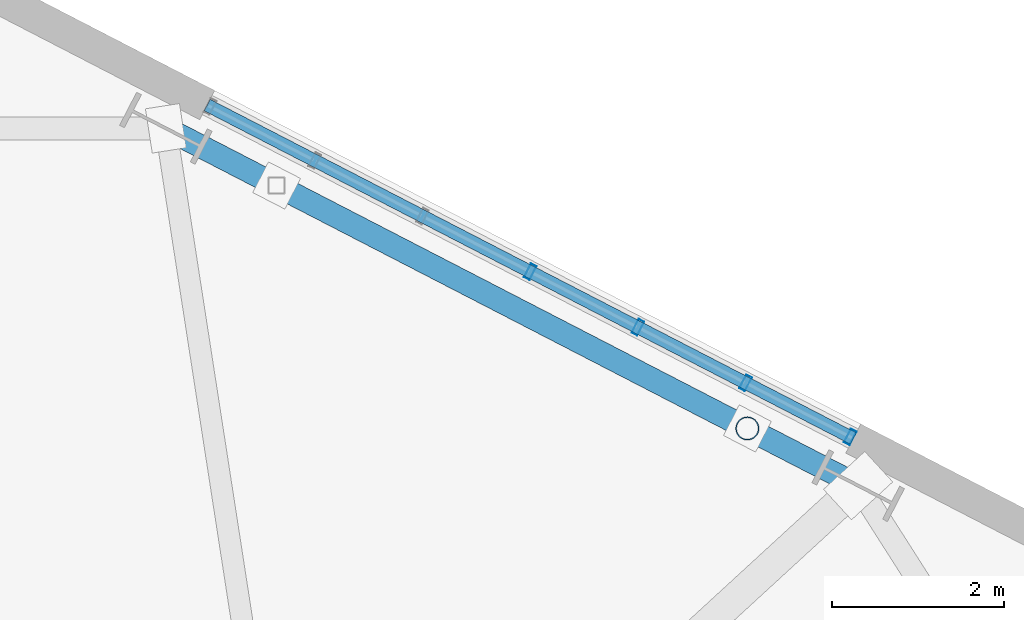
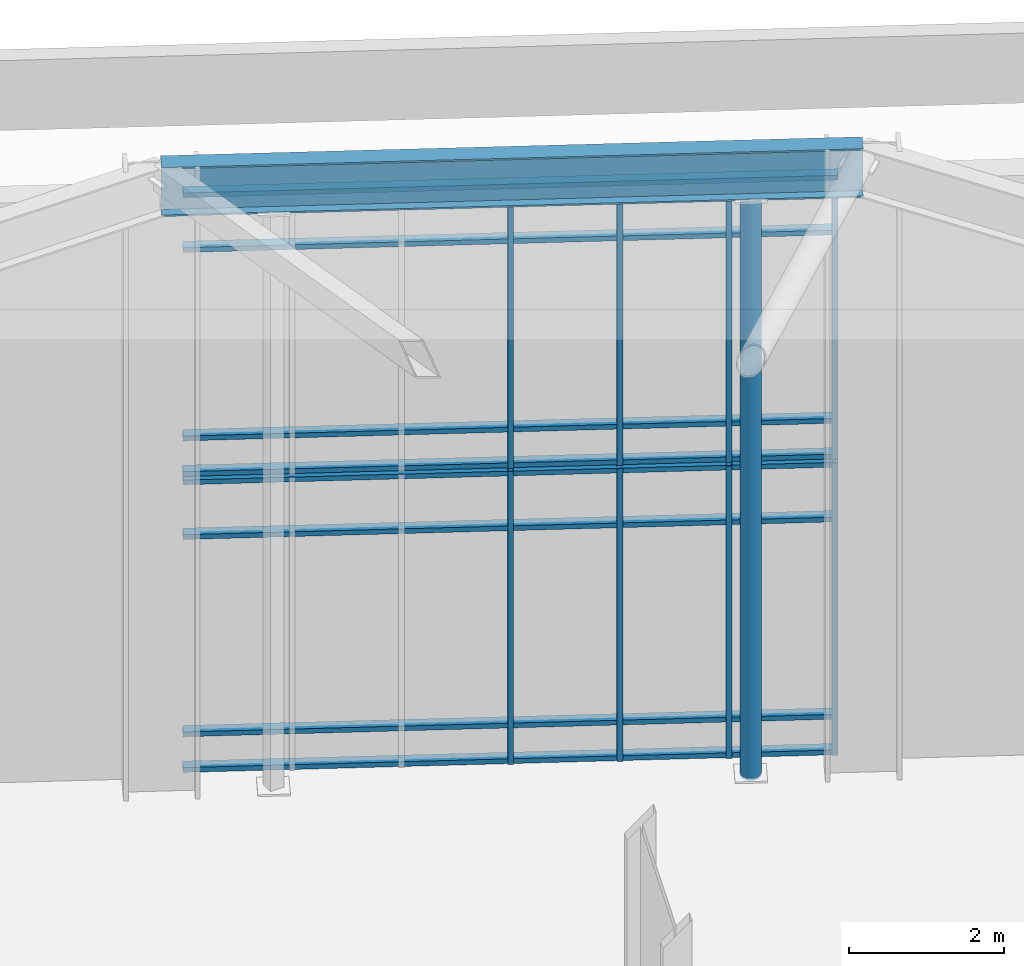
# One storey, part 14 of 23: 17 members, 1 beam, 2 elements without a shape of their own.
"""IFC4 building model written with IfcOpenShell, lengths in metres."""

from ifc_helpers import new_model, si_unit, direction, frame, origin, origin_2d, place, context, subcontext, project, spatial, hollow_rectangle, hollow_circle, i_section, extrude, material, layer, layer_set, material_profile, profile_set, type_object, element, aggregate, save


model = new_model("IFC4")

# Units and contexts
model_context = context("Model", 3, precision=1e-05, world=origin(), true_north=direction((0.0, 1.0)))
body_context = subcontext(model_context, "Body", "Model", "MODEL_VIEW")
ifc_project = project(units=[si_unit("LENGTHUNIT", "METRE"), si_unit("AREAUNIT", "SQUARE_METRE"), si_unit("VOLUMEUNIT", "CUBIC_METRE"), si_unit("PLANEANGLEUNIT", "RADIAN"), si_unit("MASSUNIT", "GRAM", prefix="KILO"), si_unit("THERMODYNAMICTEMPERATUREUNIT", "KELVIN"), si_unit("POWERUNIT", "WATT")], contexts=[model_context])

# Site, building, storey
site_placement = place(None, origin())
site = spatial("IfcSite", under=ifc_project, at=site_placement, CompositionType="ELEMENT")
building_placement = place(site_placement, origin())
building = spatial("IfcBuilding", under=site, at=building_placement, Name="Skarre Station Tower", CompositionType="ELEMENT")
storey_placement = place(building_placement, frame((0.0, 0.0, 291.300048828125)))
storey = spatial("IfcBuildingStorey", under=building, at=storey_placement, Name="RF", CompositionType="ELEMENT", Elevation=291.300048828125)

# Curtain wall, members
ifc_material_1 = material(Name="Thermally Broken Bronze-Anodized Aluminium & Triple Low-E Glass", Category="aluminium")
ifc_layer = layer(ifc_material_1, 0.179931640625, Name="Thermally Broken Bronze-Anodized Aluminium & Triple Low-E Glass")
ifc_layer_set = layer_set([ifc_layer], Name="Thermally Broken Bronze-Anodized Aluminium & Triple Low-E Glass")
curtain_wall_type = type_object("IfcCurtainWallType", Name="Nordic Bronze Crown Lantern Stick Curtain Wall", PredefinedType="NOTDEFINED", material=ifc_layer_set)
curtain_wall_1_placement = place(storey_placement, origin())
curtain_wall_1 = element("IfcCurtainWall", 1, at=curtain_wall_1_placement, inside=storey, type_object=curtain_wall_type, Name="RF Crown Lantern Lower Facet 0 Curtain Wall", PredefinedType="NOTDEFINED")
ifc_material_2 = material(Name="Anodized Aluminium 6063-T6", Category="aluminium")
ifc_material_profile_1 = material_profile(ifc_material_2, hollow_rectangle(XDim=0.074951171875, YDim=0.14990234375, WallThickness=0.00390625, at=origin_2d()), Name="Anodized Aluminium 6063-T6")
ifc_profile_set_1 = profile_set([ifc_material_profile_1], Name="Anodized Aluminium 6063-T6")
member_type_1 = type_object("IfcMemberType", Name="Curtain-Wall Secondary Transom 150x75", PredefinedType="USERDEFINED", material=ifc_profile_set_1)
member_1_placement = place(storey_placement, frame((38.367919921875, 39.717041015625, 0.0400390625), z_axis=(0.888646505754, -0.458592834453, 0.0), x_axis=(0.0, 0.0, 1.0)))
member_1 = element("IfcMember", 2, at=member_1_placement, type_object=member_type_1, Name="RF Crown Lantern Lower Facet 0 Curtain Wall Transom 1", ObjectType="TRANSOM", PredefinedType="USERDEFINED", context=body_context, shape_type="SweptSolid", body=[
    extrude(hollow_rectangle(XDim=0.074951171875, YDim=0.14990234375, WallThickness=0.00390625, at=origin_2d()), origin(), (0.0, 0.0, 1.0), 8.443359375),
])
member_2_placement = place(storey_placement, frame((38.367919921875, 39.717041015625, 0.599853515625), z_axis=(0.888646505754, -0.458592834453, 0.0), x_axis=(0.0, 0.0, 1.0)))
member_2 = element("IfcMember", 3, at=member_2_placement, type_object=member_type_1, Name="RF Crown Lantern Lower Facet 0 Curtain Wall Transom 2", ObjectType="TRANSOM", PredefinedType="USERDEFINED", context=body_context, shape_type="SweptSolid", body=[
    extrude(hollow_rectangle(XDim=0.074951171875, YDim=0.14990234375, WallThickness=0.00390625, at=origin_2d()), origin(), (0.0, 0.0, 1.0), 8.443359375),
])
member_3_placement = place(storey_placement, frame((38.367919921875, 39.717041015625, 3.699951171875), z_axis=(0.888646505754, -0.458592834453, 0.0), x_axis=(0.0, 0.0, 1.0)))
member_3 = element("IfcMember", 4, at=member_3_placement, type_object=member_type_1, Name="RF Crown Lantern Lower Facet 0 Curtain Wall Transom 3", ObjectType="TRANSOM", PredefinedType="USERDEFINED", context=body_context, shape_type="SweptSolid", body=[
    extrude(hollow_rectangle(XDim=0.074951171875, YDim=0.14990234375, WallThickness=0.00390625, at=origin_2d()), origin(), (0.0, 0.0, 1.0), 8.443359375),
])
member_4_placement = place(storey_placement, frame((38.367919921875, 39.717041015625, 4.56005859375), z_axis=(0.888646505754, -0.458592834453, 0.0), x_axis=(0.0, 0.0, 1.0)))
member_4 = element("IfcMember", 5, at=member_4_placement, type_object=member_type_1, Name="RF Crown Lantern Lower Facet 0 Curtain Wall Transom 4", ObjectType="TRANSOM", PredefinedType="USERDEFINED", context=body_context, shape_type="SweptSolid", body=[
    extrude(hollow_rectangle(XDim=0.074951171875, YDim=0.14990234375, WallThickness=0.00390625, at=origin_2d()), origin(), (0.0, 0.0, 1.0), 8.443359375),
])

curtain_wall_2_placement = place(storey_placement, origin())
curtain_wall_2 = element("IfcCurtainWall", 6, at=curtain_wall_2_placement, inside=storey, type_object=curtain_wall_type, Name="RF Crown Lantern Upper Facet 0 Curtain Wall", PredefinedType="NOTDEFINED")
member_5_placement = place(storey_placement, frame((38.367919921875, 39.717041015625, 4.68994140625), z_axis=(0.888646505754, -0.458592834453, 0.0), x_axis=(0.0, 0.0, 1.0)))
member_5 = element("IfcMember", 7, at=member_5_placement, type_object=member_type_1, Name="RF Crown Lantern Upper Facet 0 Curtain Wall Transom 1", ObjectType="TRANSOM", PredefinedType="USERDEFINED", context=body_context, shape_type="SweptSolid", body=[
    extrude(hollow_rectangle(XDim=0.074951171875, YDim=0.14990234375, WallThickness=0.00390625, at=origin_2d()), origin(), (0.0, 0.0, 1.0), 8.443359375),
])
member_6_placement = place(storey_placement, frame((38.367919921875, 39.717041015625, 5.25), z_axis=(0.888646505754, -0.458592834453, 0.0), x_axis=(0.0, 0.0, 1.0)))
member_6 = element("IfcMember", 8, at=member_6_placement, type_object=member_type_1, Name="RF Crown Lantern Upper Facet 0 Curtain Wall Transom 2", ObjectType="TRANSOM", PredefinedType="USERDEFINED", context=body_context, shape_type="SweptSolid", body=[
    extrude(hollow_rectangle(XDim=0.074951171875, YDim=0.14990234375, WallThickness=0.00390625, at=origin_2d()), origin(), (0.0, 0.0, 1.0), 8.443359375),
])
member_7_placement = place(storey_placement, frame((38.367919921875, 39.717041015625, 8.2099609375), z_axis=(0.888646505754, -0.458592834453, 0.0), x_axis=(0.0, 0.0, 1.0)))
member_7 = element("IfcMember", 9, at=member_7_placement, type_object=member_type_1, Name="RF Crown Lantern Upper Facet 0 Curtain Wall Transom 3", ObjectType="TRANSOM", PredefinedType="USERDEFINED", context=body_context, shape_type="SweptSolid", body=[
    extrude(hollow_rectangle(XDim=0.074951171875, YDim=0.14990234375, WallThickness=0.00390625, at=origin_2d()), origin(), (0.0, 0.0, 1.0), 8.443359375),
])
member_8_placement = place(storey_placement, frame((38.367919921875, 39.717041015625, 9.070068359375), z_axis=(0.888646505754, -0.458592834453, 0.0), x_axis=(0.0, 0.0, 1.0)))
member_8 = element("IfcMember", 10, at=member_8_placement, type_object=member_type_1, Name="RF Crown Lantern Upper Facet 0 Curtain Wall Transom 4", ObjectType="TRANSOM", PredefinedType="USERDEFINED", context=body_context, shape_type="SweptSolid", body=[
    extrude(hollow_rectangle(XDim=0.074951171875, YDim=0.14990234375, WallThickness=0.00390625, at=origin_2d()), origin(), (0.0, 0.0, 1.0), 8.443359375),
])

# Member
ifc_material_profile_2 = material_profile(ifc_material_2, hollow_rectangle(XDim=0.074951171875, YDim=0.179931640625, WallThickness=0.00390625, at=origin_2d()), Name="Anodized Aluminium 6063-T6")
ifc_profile_set_2 = profile_set([ifc_material_profile_2], Name="Anodized Aluminium 6063-T6")
member_type_2 = type_object("IfcMemberType", Name="Curtain-Wall Unitised Tower Mullion 180x75", PredefinedType="MULLION", material=ifc_profile_set_2)
member_9_placement = place(storey_placement, frame((42.1201171875, 37.781005859375, 0.0), z_axis=(0.0, 0.0, 1.0), x_axis=(0.888649250269, -0.458587516181, 0.0)))
member_9 = element("IfcMember", 11, at=member_9_placement, type_object=member_type_2, Name="RF Crown Lantern Lower Facet 0 Curtain Wall Mullion 4", PredefinedType="MULLION", context=body_context, shape_type="SweptSolid", body=[
    extrude(hollow_rectangle(XDim=0.074951171875, YDim=0.179931640625, WallThickness=0.00390625, at=origin_2d()), origin(), (0.0, 0.0, 1.0), 4.599853515625),
])

member_10_placement = place(storey_placement, frame((43.3701171875, 37.135986328125, 0.0), z_axis=(0.0, 0.0, 1.0), x_axis=(0.888649250269, -0.458587516181, 0.0)))
member_10 = element("IfcMember", 12, at=member_10_placement, type_object=member_type_2, Name="RF Crown Lantern Lower Facet 0 Curtain Wall Mullion 5", PredefinedType="MULLION", context=body_context, shape_type="SweptSolid", body=[
    extrude(hollow_rectangle(XDim=0.074951171875, YDim=0.179931640625, WallThickness=0.00390625, at=origin_2d()), origin(), (0.0, 0.0, 1.0), 4.599853515625),
])

member_11_placement = place(storey_placement, frame((44.6201171875, 36.489990234375, 0.0), z_axis=(0.0, 0.0, 1.0), x_axis=(0.888649250269, -0.458587516181, 0.0)))
member_11 = element("IfcMember", 13, at=member_11_placement, type_object=member_type_2, Name="RF Crown Lantern Lower Facet 0 Curtain Wall Mullion 6", PredefinedType="MULLION", context=body_context, shape_type="SweptSolid", body=[
    extrude(hollow_rectangle(XDim=0.074951171875, YDim=0.179931640625, WallThickness=0.00390625, at=origin_2d()), origin(), (0.0, 0.0, 1.0), 4.599853515625),
])

member_12_placement = place(storey_placement, frame((45.8349609375, 35.863037109375, 0.0), z_axis=(0.0, 0.0, 1.0), x_axis=(0.888649250269, -0.458587516181, 0.0)))
member_12 = element("IfcMember", 14, at=member_12_placement, type_object=member_type_2, Name="RF Crown Lantern Lower Facet 0 Curtain Wall Mullion 7", PredefinedType="MULLION", context=body_context, shape_type="SweptSolid", body=[
    extrude(hollow_rectangle(XDim=0.074951171875, YDim=0.179931640625, WallThickness=0.00390625, at=origin_2d()), origin(), (0.0, 0.0, 1.0), 4.599853515625),
])

aggregate(curtain_wall_1, [member_9, member_10, member_11, member_12, member_1, member_2, member_3, member_4])

member_13_placement = place(storey_placement, frame((42.1201171875, 37.781005859375, 4.64990234375), z_axis=(0.0, 0.0, 1.0), x_axis=(0.888649250269, -0.458587516181, 0.0)))
member_13 = element("IfcMember", 15, at=member_13_placement, type_object=member_type_2, Name="RF Crown Lantern Upper Facet 0 Curtain Wall Mullion 4", PredefinedType="MULLION", context=body_context, shape_type="SweptSolid", body=[
    extrude(hollow_rectangle(XDim=0.074951171875, YDim=0.179931640625, WallThickness=0.00390625, at=origin_2d()), origin(), (0.0, 0.0, 1.0), 4.4599609375),
])

member_14_placement = place(storey_placement, frame((43.3701171875, 37.135986328125, 4.64990234375), z_axis=(0.0, 0.0, 1.0), x_axis=(0.888649250269, -0.458587516181, 0.0)))
member_14 = element("IfcMember", 16, at=member_14_placement, type_object=member_type_2, Name="RF Crown Lantern Upper Facet 0 Curtain Wall Mullion 5", PredefinedType="MULLION", context=body_context, shape_type="SweptSolid", body=[
    extrude(hollow_rectangle(XDim=0.074951171875, YDim=0.179931640625, WallThickness=0.00390625, at=origin_2d()), origin(), (0.0, 0.0, 1.0), 4.4599609375),
])

member_15_placement = place(storey_placement, frame((44.6201171875, 36.489990234375, 4.64990234375), z_axis=(0.0, 0.0, 1.0), x_axis=(0.888649250269, -0.458587516181, 0.0)))
member_15 = element("IfcMember", 17, at=member_15_placement, type_object=member_type_2, Name="RF Crown Lantern Upper Facet 0 Curtain Wall Mullion 6", PredefinedType="MULLION", context=body_context, shape_type="SweptSolid", body=[
    extrude(hollow_rectangle(XDim=0.074951171875, YDim=0.179931640625, WallThickness=0.00390625, at=origin_2d()), origin(), (0.0, 0.0, 1.0), 4.4599609375),
])

member_16_placement = place(storey_placement, frame((45.8349609375, 35.863037109375, 4.64990234375), z_axis=(0.0, 0.0, 1.0), x_axis=(0.888649250269, -0.458587516181, 0.0)))
member_16 = element("IfcMember", 18, at=member_16_placement, type_object=member_type_2, Name="RF Crown Lantern Upper Facet 0 Curtain Wall Mullion 7", PredefinedType="MULLION", context=body_context, shape_type="SweptSolid", body=[
    extrude(hollow_rectangle(XDim=0.074951171875, YDim=0.179931640625, WallThickness=0.00390625, at=origin_2d()), origin(), (0.0, 0.0, 1.0), 4.4599609375),
])

aggregate(curtain_wall_2, [member_13, member_14, member_15, member_16, member_5, member_6, member_7, member_8])

# Beam
ifc_material_3 = material(Name="Steel ASTM A992 Grade 50", Category="steel")
ifc_material_profile_3 = material_profile(ifc_material_3, i_section(OverallWidth=0.26806640625, OverallDepth=0.77001953125, WebThickness=0.01611328125, FlangeThickness=0.02490234375, at=origin_2d()), Name="Steel ASTM A992 Grade 50")
ifc_profile_set_3 = profile_set([ifc_material_profile_3], Name="Steel ASTM A992 Grade 50")
beam_type = type_object("IfcBeamType", Name="Steel Beam W30X132", PredefinedType="BEAM", material=ifc_profile_set_3)
beam_placement = place(storey_placement, frame((45.927001953125, 35.298095703125, 9.494873046875), z_axis=(-0.888610011727, 0.458663544505, 0.0), x_axis=(-0.458663544505, -0.888610011727, 0.0)))
element("IfcBeam", 19, at=beam_placement, inside=storey, type_object=beam_type, Name="RF Crown Lantern Cap Ring Beam 1", PredefinedType="BEAM", context=body_context, shape_type="SweptSolid", body=[
    extrude(i_section(OverallWidth=0.26806640625, OverallDepth=0.77001953125, WebThickness=0.01611328125, FlangeThickness=0.02490234375, at=origin_2d()), origin(), (0.0, 0.0, 1.0), 9.045654296875),
])

# Member
ifc_material_4 = material(Name="Steel ASTM A500 Grade C", Category="steel")
ifc_material_profile_4 = material_profile(ifc_material_4, hollow_circle(Radius=0.136474609375, WallThickness=0.011962890625, at=origin_2d()), Name="Steel ASTM A500 Grade C")
ifc_profile_set_4 = profile_set([ifc_material_profile_4], Name="Steel ASTM A500 Grade C")
member_type_3 = type_object("IfcMemberType", Name="Steel Truss Strut CHS273X12", PredefinedType="STRUT", material=ifc_profile_set_4)
member_17_placement = place(storey_placement, frame((44.64111328125, 35.9619140625, 0.0), z_axis=(0.0, 0.0, 1.0), x_axis=(1.0, 0.0, 0.0)))
element("IfcMember", 20, at=member_17_placement, inside=storey, type_object=member_type_3, Name="RF Crown Pier Post 1A", PredefinedType="STRUT", context=body_context, shape_type="SweptSolid", body=[
    extrude(hollow_circle(Radius=0.136474609375, WallThickness=0.011962890625, at=origin_2d()), origin(), (0.0, 0.0, 1.0), 9.119873046875),
])

save(model, "model.ifc")
